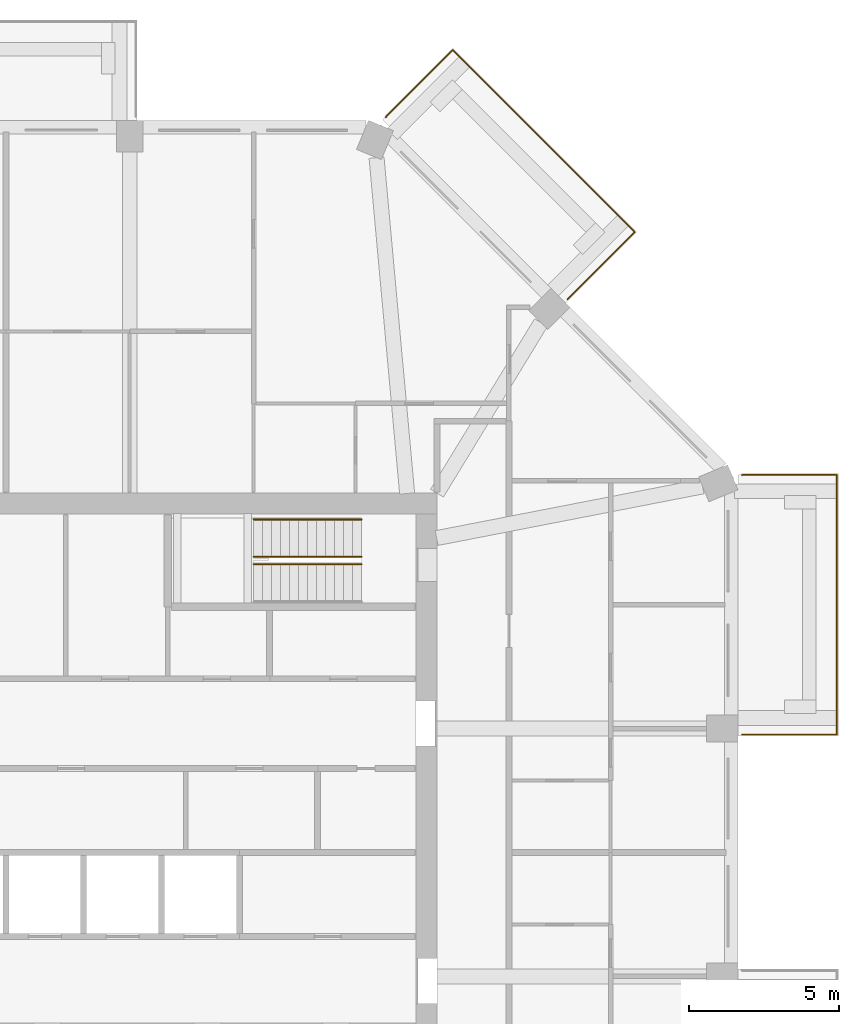
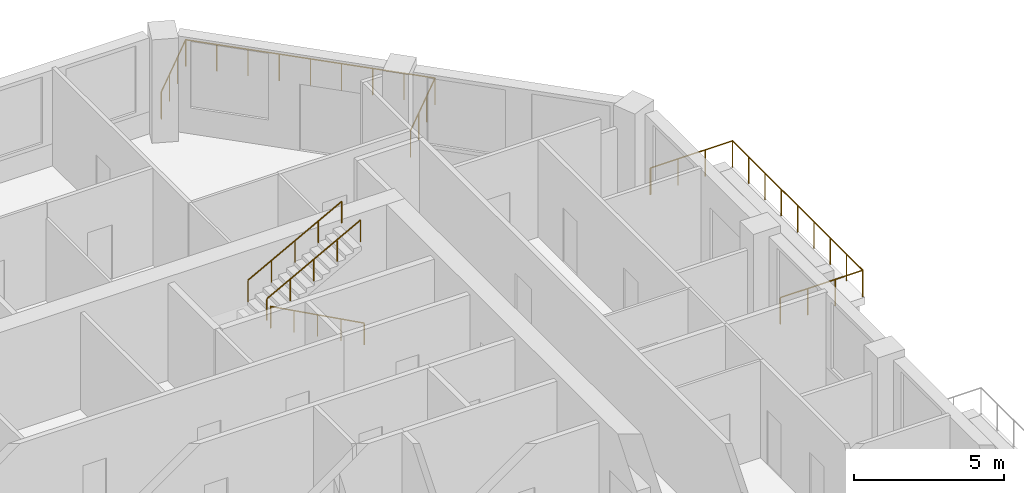
# One storey, part 12 of 12: 5 railings.
"""IFC4 building model written with IfcOpenShell, lengths in metres."""

from ifc_helpers import new_model, si_unit, direction, frame, origin, origin_2d, place, context, subcontext, project, spatial, circle, extrude, material, constituent, constituent_set, type_object, element, save


model = new_model("IFC4")

# Units and contexts
model_context = context("Model", 3, precision=1e-05, world=origin(), true_north=direction((0.0, 1.0)))
body_context = subcontext(model_context, "Body", "Model", "MODEL_VIEW")
ifc_project = project(units=[si_unit("LENGTHUNIT", "METRE"), si_unit("AREAUNIT", "SQUARE_METRE"), si_unit("VOLUMEUNIT", "CUBIC_METRE"), si_unit("PLANEANGLEUNIT", "RADIAN"), si_unit("MASSUNIT", "GRAM", prefix="KILO")], contexts=[model_context])

# Site, building, storey
site_placement = place(None, origin())
site = spatial("IfcSite", under=ifc_project, at=site_placement, CompositionType="ELEMENT")
building_placement = place(site_placement, origin())
building = spatial("IfcBuilding", under=site, at=building_placement, Name="Msitu Wima Residences", CompositionType="ELEMENT")
storey_placement = place(building_placement, frame((0.0, 0.0, 170.699951171875)))
storey = spatial("IfcBuildingStorey", under=building, at=storey_placement, Name="L39", CompositionType="ELEMENT", Elevation=170.699951171875)

# Railings
ifc_material_1 = material(Name="Steel S355", Category="steel")
ifc_constituent_1 = constituent(ifc_material_1, Name="Steel S355")
ifc_material_2 = material(Name="Weathering patina")
ifc_constituent_2 = constituent(ifc_material_2, Name="Weathering patina")
ifc_constituent_set_1 = constituent_set(constituents=[ifc_constituent_1, ifc_constituent_2], Name="Steel S355")
railing_type_1 = type_object("IfcRailingType", Name="Balcony guard GR1100", PredefinedType="GUARDRAIL", material=ifc_constituent_set_1)
railing_1_placement = place(storey_placement, frame((24.580078125, 12.597900390625, 0.0)))
element("IfcRailing", 1, at=railing_1_placement, inside=storey, type_object=railing_type_1, Name="Balcony guard E2 L39", PredefinedType="GUARDRAIL", context=body_context, shape_type="SweptSolid", body=[
    extrude(circle(Radius=0.02392578125, at=origin_2d()), frame((0.0, 0.0, 1.076171875), z_axis=(0.923276184907, 0.384136806859, 0.0), x_axis=(-0.384136806859, 0.923276184907, 0.0)), (0.0, 0.0, 1.0), 0.0361328125),
    extrude(circle(Radius=0.02392578125, at=origin_2d()), frame((0.033447265625, 0.013916015625, 1.076171875), z_axis=(1.0, 0.0, 0.0), x_axis=(0.0, 1.0, 0.0)), (0.0, 0.0, 1.0), 3.136474609375),
    extrude(circle(Radius=0.02392578125, at=origin_2d()), frame((3.169921875, 0.013916015625, 1.076171875), z_axis=(0.0, -1.0, 0.0), x_axis=(1.0, 0.0, 0.0)), (0.0, 0.0, 1.0), 8.674560546875),
    extrude(circle(Radius=0.02392578125, at=origin_2d()), frame((3.169921875, -8.66064453125, 1.076171875), z_axis=(-1.0, 0.0, 0.0), x_axis=(0.0, -1.0, 0.0)), (0.0, 0.0, 1.0), 3.169921875),
    extrude(circle(Radius=0.02099609375, at=origin_2d()), origin(), (0.0, 0.0, 1.0), 1.052001953125),
    extrude(circle(Radius=0.02099609375, at=origin_2d()), frame((0.033447265625, 0.013916015625, 0.0)), (0.0, 0.0, 1.0), 1.052001953125),
    extrude(circle(Radius=0.02099609375, at=origin_2d()), frame((1.078857421875, 0.013916015625, 0.0)), (0.0, 0.0, 1.0), 1.052001953125),
    extrude(circle(Radius=0.02099609375, at=origin_2d()), frame((2.12451171875, 0.013916015625, 0.0)), (0.0, 0.0, 1.0), 1.052001953125),
    extrude(circle(Radius=0.02099609375, at=origin_2d()), frame((3.169921875, 0.013916015625, 0.0)), (0.0, 0.0, 1.0), 1.052001953125),
    extrude(circle(Radius=0.02099609375, at=origin_2d()), frame((3.169921875, -1.0703125, 0.0)), (0.0, 0.0, 1.0), 1.052001953125),
    extrude(circle(Radius=0.02099609375, at=origin_2d()), frame((3.169921875, -2.15478515625, 0.0)), (0.0, 0.0, 1.0), 1.052001953125),
    extrude(circle(Radius=0.02099609375, at=origin_2d()), frame((3.169921875, -3.239013671875, 0.0)), (0.0, 0.0, 1.0), 1.052001953125),
    extrude(circle(Radius=0.02099609375, at=origin_2d()), frame((3.169921875, -4.3232421875, 0.0)), (0.0, 0.0, 1.0), 1.052001953125),
    extrude(circle(Radius=0.02099609375, at=origin_2d()), frame((3.169921875, -5.40771484375, 0.0)), (0.0, 0.0, 1.0), 1.052001953125),
    extrude(circle(Radius=0.02099609375, at=origin_2d()), frame((3.169921875, -6.491943359375, 0.0)), (0.0, 0.0, 1.0), 1.052001953125),
    extrude(circle(Radius=0.02099609375, at=origin_2d()), frame((3.169921875, -7.576416015625, 0.0)), (0.0, 0.0, 1.0), 1.052001953125),
    extrude(circle(Radius=0.02099609375, at=origin_2d()), frame((3.169921875, -8.66064453125, 0.0)), (0.0, 0.0, 1.0), 1.052001953125),
    extrude(circle(Radius=0.02099609375, at=origin_2d()), frame((2.11328125, -8.66064453125, 0.0)), (0.0, 0.0, 1.0), 1.052001953125),
    extrude(circle(Radius=0.02099609375, at=origin_2d()), frame((1.056640625, -8.66064453125, 0.0)), (0.0, 0.0, 1.0), 1.052001953125),
    extrude(circle(Radius=0.02099609375, at=origin_2d()), frame((0.0, -8.66064453125, 0.0)), (0.0, 0.0, 1.0), 1.052001953125),
])
railing_2_placement = place(storey_placement, frame((12.690185546875, 24.541748046875, 0.0)))
element("IfcRailing", 2, at=railing_2_placement, inside=storey, type_object=railing_type_1, Name="Balcony guard NE1 L39", PredefinedType="GUARDRAIL", context=body_context, shape_type="SweptSolid", body=[
    extrude(circle(Radius=0.02392578125, at=origin_2d()), frame((0.0, 0.0, 1.076171875), z_axis=(0.384136806859, 0.923276184907, 0.0), x_axis=(-0.923276184907, 0.384136806859, 0.0)), (0.0, 0.0, 1.0), 0.0361328125),
    extrude(circle(Radius=0.02392578125, at=origin_2d()), frame((0.013916015625, 0.033447265625, 1.076171875), z_axis=(0.707145698426, 0.707067861805, 0.0), x_axis=(-0.707067861805, 0.707145698426, 0.0)), (0.0, 0.0, 1.0), 3.136474609375),
    extrude(circle(Radius=0.02392578125, at=origin_2d()), frame((2.23193359375, 2.251220703125, 1.076171875), z_axis=(0.707106781187, -0.707106781187, 0.0), x_axis=(0.707106781187, 0.707106781187, 0.0)), (0.0, 0.0, 1.0), 8.593994140625),
    extrude(circle(Radius=0.02392578125, at=origin_2d()), frame((8.308837890625, -3.82568359375, 1.076171875), z_axis=(-0.707145287287, -0.707068272989, 0.0), x_axis=(0.707068272989, -0.707145287287, 0.0)), (0.0, 0.0, 1.0), 3.170166015625),
    extrude(circle(Radius=0.02099609375, at=origin_2d()), origin(), (0.0, 0.0, 1.0), 1.052001953125),
    extrude(circle(Radius=0.02099609375, at=origin_2d()), frame((0.013916015625, 0.033447265625, 0.0)), (0.0, 0.0, 1.0), 1.052001953125),
    extrude(circle(Radius=0.02099609375, at=origin_2d()), frame((0.753173828125, 0.772705078125, 0.0)), (0.0, 0.0, 1.0), 1.052001953125),
    extrude(circle(Radius=0.02099609375, at=origin_2d()), frame((1.49267578125, 1.511962890625, 0.0)), (0.0, 0.0, 1.0), 1.052001953125),
    extrude(circle(Radius=0.02099609375, at=origin_2d()), frame((2.23193359375, 2.251220703125, 0.0)), (0.0, 0.0, 1.0), 1.052001953125),
    extrude(circle(Radius=0.02099609375, at=origin_2d()), frame((2.991455078125, 1.49169921875, 0.0)), (0.0, 0.0, 1.0), 1.052001953125),
    extrude(circle(Radius=0.02099609375, at=origin_2d()), frame((3.751220703125, 0.73193359375, 0.0)), (0.0, 0.0, 1.0), 1.052001953125),
    extrude(circle(Radius=0.02099609375, at=origin_2d()), frame((4.5107421875, -0.027587890625, 0.0)), (0.0, 0.0, 1.0), 1.052001953125),
    extrude(circle(Radius=0.02099609375, at=origin_2d()), frame((5.2705078125, -0.787109375, 0.0)), (0.0, 0.0, 1.0), 1.052001953125),
    extrude(circle(Radius=0.02099609375, at=origin_2d()), frame((6.030029296875, -1.546875, 0.0)), (0.0, 0.0, 1.0), 1.052001953125),
    extrude(circle(Radius=0.02099609375, at=origin_2d()), frame((6.78955078125, -2.306396484375, 0.0)), (0.0, 0.0, 1.0), 1.052001953125),
    extrude(circle(Radius=0.02099609375, at=origin_2d()), frame((7.54931640625, -3.066162109375, 0.0)), (0.0, 0.0, 1.0), 1.052001953125),
    extrude(circle(Radius=0.02099609375, at=origin_2d()), frame((8.308837890625, -3.82568359375, 0.0)), (0.0, 0.0, 1.0), 1.052001953125),
    extrude(circle(Radius=0.02099609375, at=origin_2d()), frame((7.5615234375, -4.57275390625, 0.0)), (0.0, 0.0, 1.0), 1.052001953125),
    extrude(circle(Radius=0.02099609375, at=origin_2d()), frame((6.814453125, -5.320068359375, 0.0)), (0.0, 0.0, 1.0), 1.052001953125),
    extrude(circle(Radius=0.02099609375, at=origin_2d()), frame((6.067138671875, -6.067138671875, 0.0)), (0.0, 0.0, 1.0), 1.052001953125),
])
ifc_constituent_3 = constituent(ifc_material_1, Name="Steel S355")
ifc_material_3 = material(Name="Black powder coating")
ifc_constituent_4 = constituent(ifc_material_3, Name="Black powder coating")
ifc_constituent_set_2 = constituent_set(constituents=[ifc_constituent_3, ifc_constituent_4], Name="Steel S355")
railing_type_2 = type_object("IfcRailingType", Name="Stair handrail HR1", PredefinedType="HANDRAIL", material=ifc_constituent_set_2)
railing_3_placement = place(storey_placement, frame((11.875, 9.625, 0.16162109375)))
element("IfcRailing", 3, at=railing_3_placement, inside=storey, type_object=railing_type_2, Name="Stair 3 handrail", PredefinedType="HANDRAIL", context=body_context, shape_type="SweptSolid", body=[
    extrude(circle(Radius=0.02392578125, at=origin_2d()), frame((0.0, 0.0, 0.8759765625), z_axis=(-0.880474934443, 0.0, 0.474092701714), x_axis=(0.0, -1.0, 0.0)), (0.0, 0.0, 1.0), 4.0888671875),
    extrude(circle(Radius=0.02099609375, at=origin_2d()), origin(), (0.0, 0.0, 1.0), 0.851806640625),
    extrude(circle(Radius=0.02099609375, at=origin_2d()), frame((-0.89990234375, 0.0, 0.484619140625)), (0.0, 0.0, 1.0), 0.851806640625),
    extrude(circle(Radius=0.02099609375, at=origin_2d()), frame((-1.800048828125, 0.0, 0.96923828125)), (0.0, 0.0, 1.0), 0.851806640625),
    extrude(circle(Radius=0.02099609375, at=origin_2d()), frame((-2.7001953125, 0.0, 1.453857421875)), (0.0, 0.0, 1.0), 0.851806640625),
    extrude(circle(Radius=0.02099609375, at=origin_2d()), frame((-3.60009765625, 0.0, 1.9384765625)), (0.0, 0.0, 1.0), 0.851806640625),
])
for number, where, name in (
    (4, (8.27490234375, 9.875, 2.261474609375), "Stair 3 handrail"),
    (5, (8.27490234375, 11.125, 2.261474609375), "Stair 3 handrail"),
):
    element("IfcRailing", number, at=place(storey_placement, frame(where)), inside=storey, type_object=railing_type_2, Name=name, PredefinedType="HANDRAIL", context=body_context, shape_type="SweptSolid", body=[
        extrude(circle(Radius=0.02392578125, at=origin_2d()), frame((0.0, 0.0, 0.8759765625), z_axis=(0.880474934443, 0.0, 0.474092701714), x_axis=(0.0, 1.0, 0.0)), (0.0, 0.0, 1.0), 4.0888671875),
        extrude(circle(Radius=0.02099609375, at=origin_2d()), origin(), (0.0, 0.0, 1.0), 0.851806640625),
        extrude(circle(Radius=0.02099609375, at=origin_2d()), frame((0.89990234375, 0.0, 0.484619140625)), (0.0, 0.0, 1.0), 0.851806640625),
        extrude(circle(Radius=0.02099609375, at=origin_2d()), frame((1.800048828125, 0.0, 0.96923828125)), (0.0, 0.0, 1.0), 0.851806640625),
        extrude(circle(Radius=0.02099609375, at=origin_2d()), frame((2.7001953125, 0.0, 1.453857421875)), (0.0, 0.0, 1.0), 0.851806640625),
        extrude(circle(Radius=0.02099609375, at=origin_2d()), frame((3.60009765625, 0.0, 1.9384765625)), (0.0, 0.0, 1.0), 0.851806640625),
    ])

save(model, "model.ifc")
